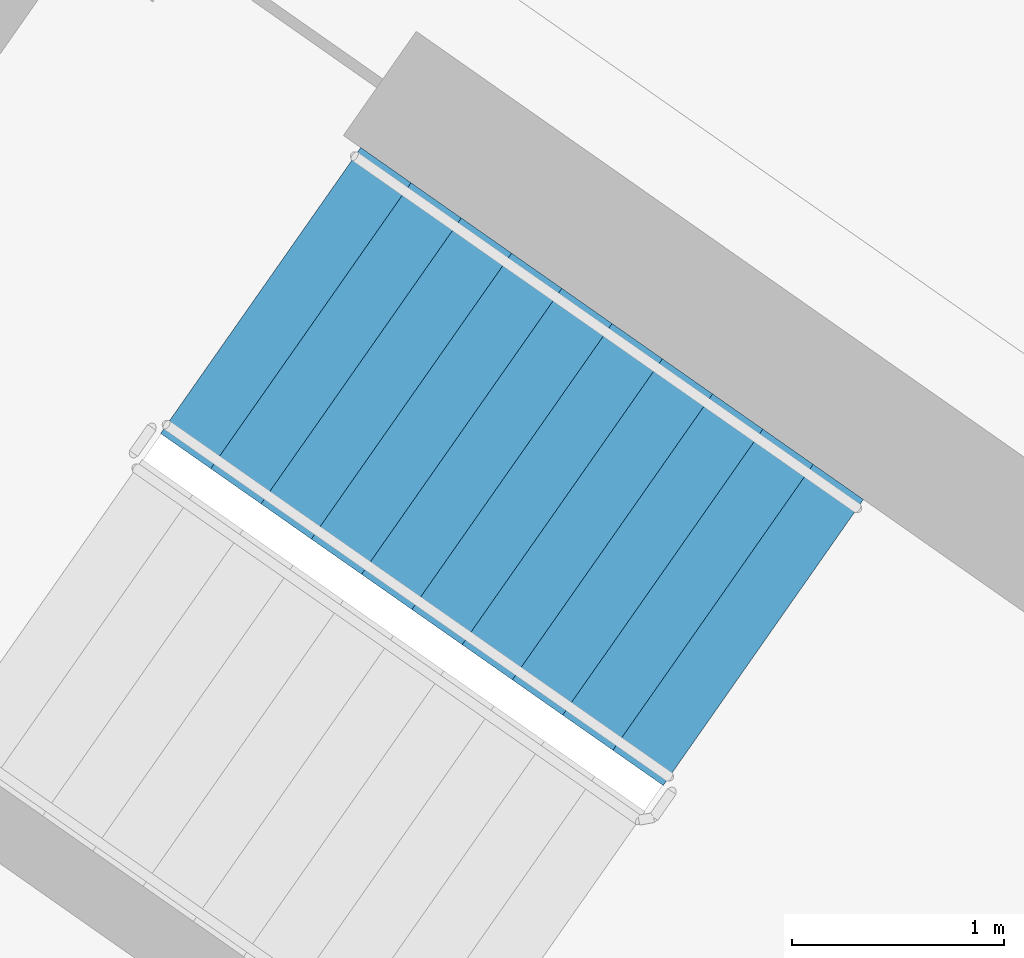
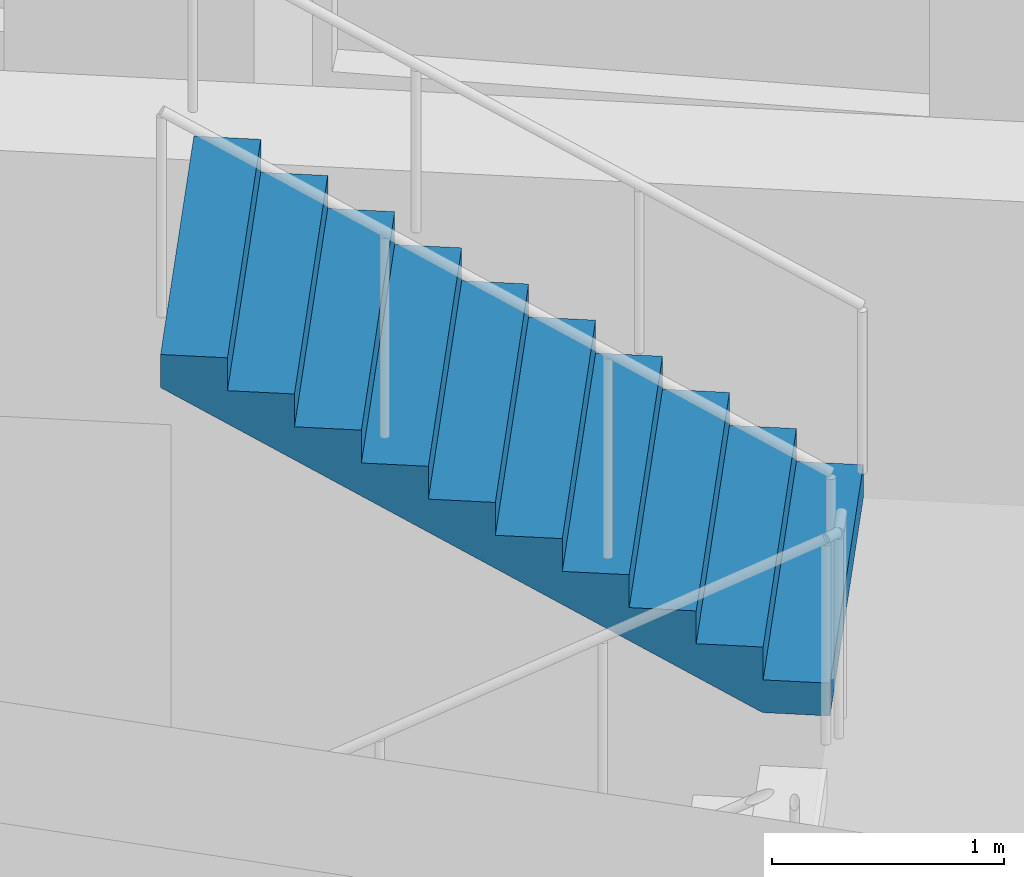
# One storey, part 12 of 26: 1 stair flight, 1 element without a shape of its own.
"""IFC4 building model written with IfcOpenShell, lengths in metres."""

from ifc_helpers import new_model, si_unit, direction, frame, origin, place, context, subcontext, project, spatial, faceted_brep, material, type_object, element, aggregate, save


model = new_model("IFC4")

# Units and contexts
model_context = context("Model", 3, precision=1e-05, world=origin(), true_north=direction((0.0, 1.0)))
body_context = subcontext(model_context, "Body", "Model", "MODEL_VIEW")
ifc_project = project(units=[si_unit("LENGTHUNIT", "METRE"), si_unit("AREAUNIT", "SQUARE_METRE"), si_unit("VOLUMEUNIT", "CUBIC_METRE"), si_unit("PLANEANGLEUNIT", "RADIAN"), si_unit("MASSUNIT", "GRAM", prefix="KILO")], contexts=[model_context])

# Site, building, storey
site_placement = place(None, origin())
site = spatial("IfcSite", under=ifc_project, at=site_placement, CompositionType="ELEMENT")
building_placement = place(site_placement, origin())
building = spatial("IfcBuilding", under=site, at=building_placement, Name="Qamariyya Broadcast Tower", CompositionType="ELEMENT")
storey_placement = place(building_placement, frame((0.0, 0.0, 160.699951171875)))
storey = spatial("IfcBuildingStorey", under=building, at=storey_placement, Name="L37", CompositionType="ELEMENT", Elevation=160.699951171875)

# Stair, stair flight
ifc_material = material(Name="Concrete C50/60", Category="concrete")
stair_type = type_object("IfcStairType", Name="Exit stair 22 risers of 173 mm", PredefinedType="HALF_TURN_STAIR", material=ifc_material)
stair_placement = place(storey_placement, origin())
stair = element("IfcStair", 1, at=stair_placement, inside=storey, type_object=stair_type, Name="L37 Stair W2", PredefinedType="HALF_TURN_STAIR")
stair_flight_type = type_object("IfcStairFlightType", Name="Exit stair flight 11 risers of 173 mm", PredefinedType="STRAIGHT", material=ifc_material)
stair_flight_placement = place(storey_placement, frame((-38.18310546875, -49.3486328125, 1.900146484375), z_axis=(0.0, 0.0, 1.0), x_axis=(-0.819152044289, 0.573576436351, 0.0)))
stair_flight = element("IfcStairFlight", 2, at=stair_flight_placement, type_object=stair_flight_type, Name="ST-W2 flight 2", NumberOfRisers=11, NumberOfTreads=10, PredefinedType="STRAIGHT", RiserHeight=0.172727273, TreadLength=0.29, context=body_context, shape_type="Brep", body=[
    faceted_brep([(0.0, 0.824951171875, 0.0), (0.0, 0.824951171875, 0.172607421875), (0.2900390625, 0.824951171875, 0.172607421875), (0.2900390625, 0.824951171875, 0.345458984375), (0.580078125, 0.824951171875, 0.345458984375), (0.580078125, 0.824951171875, 0.51806640625), (0.8701171875, 0.824951171875, 0.51806640625), (0.8701171875, 0.824951171875, 0.69091796875), (1.159912109375, 0.824951171875, 0.69091796875), (1.159912109375, 0.824951171875, 0.863525390625), (1.449951171875, 0.824951171875, 0.863525390625), (1.449951171875, 0.824951171875, 1.036376953125), (1.739990234375, 0.824951171875, 1.036376953125), (1.739990234375, 0.824951171875, 1.208984375), (2.030029296875, 0.824951171875, 1.208984375), (2.030029296875, 0.824951171875, 1.3818359375), (2.320068359375, 0.824951171875, 1.3818359375), (2.320068359375, 0.824951171875, 1.554443359375), (2.610107421875, 0.824951171875, 1.554443359375), (2.610107421875, 0.824951171875, 1.727294921875), (2.89990234375, 0.824951171875, 1.727294921875), (2.89990234375, 0.824951171875, 1.552734375), (0.29296875, 0.824951171875, 0.0), (0.29296875, -0.824951171875, 0.0), (2.89990234375, -0.824951171875, 1.552734375), (2.89990234375, -0.824951171875, 1.727294921875), (2.610107421875, -0.824951171875, 1.727294921875), (2.610107421875, -0.824951171875, 1.554443359375), (2.320068359375, -0.824951171875, 1.554443359375), (2.320068359375, -0.824951171875, 1.3818359375), (2.030029296875, -0.824951171875, 1.3818359375), (2.030029296875, -0.824951171875, 1.208984375), (1.739990234375, -0.824951171875, 1.208984375), (1.739990234375, -0.824951171875, 1.036376953125), (1.449951171875, -0.824951171875, 1.036376953125), (1.449951171875, -0.824951171875, 0.863525390625), (1.159912109375, -0.824951171875, 0.863525390625), (1.159912109375, -0.824951171875, 0.69091796875), (0.8701171875, -0.824951171875, 0.69091796875), (0.8701171875, -0.824951171875, 0.51806640625), (0.580078125, -0.824951171875, 0.51806640625), (0.580078125, -0.824951171875, 0.345458984375), (0.2900390625, -0.824951171875, 0.345458984375), (0.2900390625, -0.824951171875, 0.172607421875), (0.0, -0.824951171875, 0.172607421875), (0.0, -0.824951171875, 0.0), (0.0, 0.10009765625, 0.0), (0.0, 0.086669921875, 0.0), (0.0, 0.0732421875, 0.0), (0.0, 0.06005859375, 0.0), (0.0, 0.046630859375, 0.0), (0.0, 0.033447265625, 0.0), (0.0, 0.02001953125, 0.0), (0.0, 0.006591796875, 0.0), (0.0, -0.006591796875, 0.0), (0.0, -0.02001953125, 0.0), (0.0, -0.033447265625, 0.0), (0.0, -0.046630859375, 0.0), (0.0, -0.06005859375, 0.0), (0.0, -0.0732421875, 0.0), (0.0, -0.086669921875, 0.0), (0.0, -0.10009765625, 0.0), (0.0, -0.10009765625, 0.172607421875), (0.0, -0.086669921875, 0.172607421875), (0.0, -0.0732421875, 0.172607421875), (0.0, -0.06005859375, 0.172607421875), (0.0, -0.046630859375, 0.172607421875), (0.0, -0.033447265625, 0.172607421875), (0.0, -0.02001953125, 0.172607421875), (0.0, -0.006591796875, 0.172607421875), (0.0, 0.006591796875, 0.172607421875), (0.0, 0.02001953125, 0.172607421875), (0.0, 0.033447265625, 0.172607421875), (0.0, 0.046630859375, 0.172607421875), (0.0, 0.06005859375, 0.172607421875), (0.0, 0.0732421875, 0.172607421875), (0.0, 0.086669921875, 0.172607421875), (0.0, 0.10009765625, 0.172607421875), (0.2900390625, -0.10009765625, 0.172607421875), (0.2900390625, -0.086669921875, 0.172607421875), (0.2900390625, -0.0732421875, 0.172607421875), (0.2900390625, -0.06005859375, 0.172607421875), (0.2900390625, -0.046630859375, 0.172607421875), (0.2900390625, -0.033447265625, 0.172607421875), (0.2900390625, -0.02001953125, 0.172607421875), (0.2900390625, -0.006591796875, 0.172607421875), (0.2900390625, 0.006591796875, 0.172607421875), (0.2900390625, 0.02001953125, 0.172607421875), (0.2900390625, 0.033447265625, 0.172607421875), (0.2900390625, 0.046630859375, 0.172607421875), (0.2900390625, 0.06005859375, 0.172607421875), (0.2900390625, 0.0732421875, 0.172607421875), (0.2900390625, 0.086669921875, 0.172607421875), (0.2900390625, 0.10009765625, 0.172607421875), (0.2900390625, -0.10009765625, 0.345458984375), (0.2900390625, -0.086669921875, 0.345458984375), (0.2900390625, -0.0732421875, 0.345458984375), (0.2900390625, -0.06005859375, 0.345458984375), (0.2900390625, -0.046630859375, 0.345458984375), (0.2900390625, -0.033447265625, 0.345458984375), (0.2900390625, -0.02001953125, 0.345458984375), (0.2900390625, -0.006591796875, 0.345458984375), (0.2900390625, 0.006591796875, 0.345458984375), (0.2900390625, 0.02001953125, 0.345458984375), (0.2900390625, 0.033447265625, 0.345458984375), (0.2900390625, 0.046630859375, 0.345458984375), (0.2900390625, 0.06005859375, 0.345458984375), (0.2900390625, 0.0732421875, 0.345458984375), (0.2900390625, 0.086669921875, 0.345458984375), (0.2900390625, 0.10009765625, 0.345458984375), (0.580078125, -0.10009765625, 0.345458984375), (0.580078125, -0.086669921875, 0.345458984375), (0.580078125, -0.0732421875, 0.345458984375), (0.580078125, -0.06005859375, 0.345458984375), (0.580078125, -0.046630859375, 0.345458984375), (0.580078125, -0.033447265625, 0.345458984375), (0.580078125, -0.02001953125, 0.345458984375), (0.580078125, -0.006591796875, 0.345458984375), (0.580078125, 0.006591796875, 0.345458984375), (0.580078125, 0.02001953125, 0.345458984375), (0.580078125, 0.033447265625, 0.345458984375), (0.580078125, 0.046630859375, 0.345458984375), (0.580078125, 0.06005859375, 0.345458984375), (0.580078125, 0.0732421875, 0.345458984375), (0.580078125, 0.086669921875, 0.345458984375), (0.580078125, 0.10009765625, 0.345458984375), (0.580078125, -0.10009765625, 0.51806640625), (0.580078125, -0.086669921875, 0.51806640625), (0.580078125, -0.0732421875, 0.51806640625), (0.580078125, -0.06005859375, 0.51806640625), (0.580078125, -0.046630859375, 0.51806640625), (0.580078125, -0.033447265625, 0.51806640625), (0.580078125, -0.02001953125, 0.51806640625), (0.580078125, -0.006591796875, 0.51806640625), (0.580078125, 0.006591796875, 0.51806640625), (0.580078125, 0.02001953125, 0.51806640625), (0.580078125, 0.033447265625, 0.51806640625), (0.580078125, 0.046630859375, 0.51806640625), (0.580078125, 0.06005859375, 0.51806640625), (0.580078125, 0.0732421875, 0.51806640625), (0.580078125, 0.086669921875, 0.51806640625), (0.580078125, 0.10009765625, 0.51806640625), (0.8701171875, -0.10009765625, 0.51806640625), (0.8701171875, -0.086669921875, 0.51806640625), (0.8701171875, -0.0732421875, 0.51806640625), (0.8701171875, -0.06005859375, 0.51806640625), (0.8701171875, -0.046630859375, 0.51806640625), (0.8701171875, -0.033447265625, 0.51806640625), (0.8701171875, -0.02001953125, 0.51806640625), (0.8701171875, -0.006591796875, 0.51806640625), (0.8701171875, 0.006591796875, 0.51806640625), (0.8701171875, 0.02001953125, 0.51806640625), (0.8701171875, 0.033447265625, 0.51806640625), (0.8701171875, 0.046630859375, 0.51806640625), (0.8701171875, 0.06005859375, 0.51806640625), (0.8701171875, 0.0732421875, 0.51806640625), (0.8701171875, 0.086669921875, 0.51806640625), (0.8701171875, 0.10009765625, 0.51806640625), (0.8701171875, -0.10009765625, 0.69091796875), (0.8701171875, -0.086669921875, 0.69091796875), (0.8701171875, -0.0732421875, 0.69091796875), (0.8701171875, -0.06005859375, 0.69091796875), (0.8701171875, -0.046630859375, 0.69091796875), (0.8701171875, -0.033447265625, 0.69091796875), (0.8701171875, -0.02001953125, 0.69091796875), (0.8701171875, -0.006591796875, 0.69091796875), (0.8701171875, 0.006591796875, 0.69091796875), (0.8701171875, 0.02001953125, 0.69091796875), (0.8701171875, 0.033447265625, 0.69091796875), (0.8701171875, 0.046630859375, 0.69091796875), (0.8701171875, 0.06005859375, 0.69091796875), (0.8701171875, 0.0732421875, 0.69091796875), (0.8701171875, 0.086669921875, 0.69091796875), (0.8701171875, 0.10009765625, 0.69091796875), (1.159912109375, -0.10009765625, 0.69091796875), (1.159912109375, -0.086669921875, 0.69091796875), (1.159912109375, -0.0732421875, 0.69091796875), (1.159912109375, -0.06005859375, 0.69091796875), (1.159912109375, -0.046630859375, 0.69091796875), (1.159912109375, -0.033447265625, 0.69091796875), (1.159912109375, -0.02001953125, 0.69091796875), (1.159912109375, -0.006591796875, 0.69091796875), (1.159912109375, 0.006591796875, 0.69091796875), (1.159912109375, 0.02001953125, 0.69091796875), (1.159912109375, 0.033447265625, 0.69091796875), (1.159912109375, 0.046630859375, 0.69091796875), (1.159912109375, 0.06005859375, 0.69091796875), (1.159912109375, 0.0732421875, 0.69091796875), (1.159912109375, 0.086669921875, 0.69091796875), (1.159912109375, 0.10009765625, 0.69091796875), (1.159912109375, -0.10009765625, 0.863525390625), (1.159912109375, -0.086669921875, 0.863525390625), (1.159912109375, -0.0732421875, 0.863525390625), (1.159912109375, -0.06005859375, 0.863525390625), (1.159912109375, -0.046630859375, 0.863525390625), (1.159912109375, -0.033447265625, 0.863525390625), (1.159912109375, -0.02001953125, 0.863525390625), (1.159912109375, -0.006591796875, 0.863525390625), (1.159912109375, 0.006591796875, 0.863525390625), (1.159912109375, 0.02001953125, 0.863525390625), (1.159912109375, 0.033447265625, 0.863525390625), (1.159912109375, 0.046630859375, 0.863525390625), (1.159912109375, 0.06005859375, 0.863525390625), (1.159912109375, 0.0732421875, 0.863525390625), (1.159912109375, 0.086669921875, 0.863525390625), (1.159912109375, 0.10009765625, 0.863525390625), (1.449951171875, -0.10009765625, 0.863525390625), (1.449951171875, -0.086669921875, 0.863525390625), (1.449951171875, -0.0732421875, 0.863525390625), (1.449951171875, -0.06005859375, 0.863525390625), (1.449951171875, -0.046630859375, 0.863525390625), (1.449951171875, -0.033447265625, 0.863525390625), (1.449951171875, -0.02001953125, 0.863525390625), (1.449951171875, -0.006591796875, 0.863525390625), (1.449951171875, 0.006591796875, 0.863525390625), (1.449951171875, 0.02001953125, 0.863525390625), (1.449951171875, 0.033447265625, 0.863525390625), (1.449951171875, 0.046630859375, 0.863525390625), (1.449951171875, 0.06005859375, 0.863525390625), (1.449951171875, 0.0732421875, 0.863525390625), (1.449951171875, 0.086669921875, 0.863525390625), (1.449951171875, 0.10009765625, 0.863525390625), (1.449951171875, -0.10009765625, 1.036376953125), (1.449951171875, -0.086669921875, 1.036376953125), (1.449951171875, -0.0732421875, 1.036376953125), (1.449951171875, -0.06005859375, 1.036376953125), (1.449951171875, -0.046630859375, 1.036376953125), (1.449951171875, -0.033447265625, 1.036376953125), (1.449951171875, -0.02001953125, 1.036376953125), (1.449951171875, -0.006591796875, 1.036376953125), (1.449951171875, 0.006591796875, 1.036376953125), (1.449951171875, 0.02001953125, 1.036376953125), (1.449951171875, 0.033447265625, 1.036376953125), (1.449951171875, 0.046630859375, 1.036376953125), (1.449951171875, 0.06005859375, 1.036376953125), (1.449951171875, 0.0732421875, 1.036376953125), (1.449951171875, 0.086669921875, 1.036376953125), (1.449951171875, 0.10009765625, 1.036376953125), (1.739990234375, -0.10009765625, 1.036376953125), (1.739990234375, -0.086669921875, 1.036376953125), (1.739990234375, -0.0732421875, 1.036376953125), (1.739990234375, -0.06005859375, 1.036376953125), (1.739990234375, -0.046630859375, 1.036376953125), (1.739990234375, -0.033447265625, 1.036376953125), (1.739990234375, -0.02001953125, 1.036376953125), (1.739990234375, -0.006591796875, 1.036376953125), (1.739990234375, 0.006591796875, 1.036376953125), (1.739990234375, 0.02001953125, 1.036376953125), (1.739990234375, 0.033447265625, 1.036376953125), (1.739990234375, 0.046630859375, 1.036376953125), (1.739990234375, 0.06005859375, 1.036376953125), (1.739990234375, 0.0732421875, 1.036376953125), (1.739990234375, 0.086669921875, 1.036376953125), (1.739990234375, 0.10009765625, 1.036376953125), (1.739990234375, -0.10009765625, 1.208984375), (1.739990234375, -0.086669921875, 1.208984375), (1.739990234375, -0.0732421875, 1.208984375), (1.739990234375, -0.06005859375, 1.208984375), (1.739990234375, -0.046630859375, 1.208984375), (1.739990234375, -0.033447265625, 1.208984375), (1.739990234375, -0.02001953125, 1.208984375), (1.739990234375, -0.006591796875, 1.208984375), (1.739990234375, 0.006591796875, 1.208984375), (1.739990234375, 0.02001953125, 1.208984375), (1.739990234375, 0.033447265625, 1.208984375), (1.739990234375, 0.046630859375, 1.208984375), (1.739990234375, 0.06005859375, 1.208984375), (1.739990234375, 0.0732421875, 1.208984375), (1.739990234375, 0.086669921875, 1.208984375), (1.739990234375, 0.10009765625, 1.208984375), (2.030029296875, -0.10009765625, 1.208984375), (2.030029296875, -0.086669921875, 1.208984375), (2.030029296875, -0.0732421875, 1.208984375), (2.030029296875, -0.06005859375, 1.208984375), (2.030029296875, -0.046630859375, 1.208984375), (2.030029296875, -0.033447265625, 1.208984375), (2.030029296875, -0.02001953125, 1.208984375), (2.030029296875, -0.006591796875, 1.208984375), (2.030029296875, 0.006591796875, 1.208984375), (2.030029296875, 0.02001953125, 1.208984375), (2.030029296875, 0.033447265625, 1.208984375), (2.030029296875, 0.046630859375, 1.208984375), (2.030029296875, 0.06005859375, 1.208984375), (2.030029296875, 0.0732421875, 1.208984375), (2.030029296875, 0.086669921875, 1.208984375), (2.030029296875, 0.10009765625, 1.208984375), (2.030029296875, -0.10009765625, 1.3818359375), (2.030029296875, -0.086669921875, 1.3818359375), (2.030029296875, -0.0732421875, 1.3818359375), (2.030029296875, -0.06005859375, 1.3818359375), (2.030029296875, -0.046630859375, 1.3818359375), (2.030029296875, -0.033447265625, 1.3818359375), (2.030029296875, -0.02001953125, 1.3818359375), (2.030029296875, -0.006591796875, 1.3818359375), (2.030029296875, 0.006591796875, 1.3818359375), (2.030029296875, 0.02001953125, 1.3818359375), (2.030029296875, 0.033447265625, 1.3818359375), (2.030029296875, 0.046630859375, 1.3818359375), (2.030029296875, 0.06005859375, 1.3818359375), (2.030029296875, 0.0732421875, 1.3818359375), (2.030029296875, 0.086669921875, 1.3818359375), (2.030029296875, 0.10009765625, 1.3818359375), (2.320068359375, -0.10009765625, 1.3818359375), (2.320068359375, -0.086669921875, 1.3818359375), (2.320068359375, -0.0732421875, 1.3818359375), (2.320068359375, -0.06005859375, 1.3818359375), (2.320068359375, -0.046630859375, 1.3818359375), (2.320068359375, -0.033447265625, 1.3818359375), (2.320068359375, -0.02001953125, 1.3818359375), (2.320068359375, -0.006591796875, 1.3818359375), (2.320068359375, 0.006591796875, 1.3818359375), (2.320068359375, 0.02001953125, 1.3818359375), (2.320068359375, 0.033447265625, 1.3818359375), (2.320068359375, 0.046630859375, 1.3818359375), (2.320068359375, 0.06005859375, 1.3818359375), (2.320068359375, 0.0732421875, 1.3818359375), (2.320068359375, 0.086669921875, 1.3818359375), (2.320068359375, 0.10009765625, 1.3818359375), (2.320068359375, -0.10009765625, 1.554443359375), (2.320068359375, -0.086669921875, 1.554443359375), (2.320068359375, -0.0732421875, 1.554443359375), (2.320068359375, -0.06005859375, 1.554443359375), (2.320068359375, -0.046630859375, 1.554443359375), (2.320068359375, -0.033447265625, 1.554443359375), (2.320068359375, -0.02001953125, 1.554443359375), (2.320068359375, -0.006591796875, 1.554443359375), (2.320068359375, 0.006591796875, 1.554443359375), (2.320068359375, 0.02001953125, 1.554443359375), (2.320068359375, 0.033447265625, 1.554443359375), (2.320068359375, 0.046630859375, 1.554443359375), (2.320068359375, 0.06005859375, 1.554443359375), (2.320068359375, 0.0732421875, 1.554443359375), (2.320068359375, 0.086669921875, 1.554443359375), (2.320068359375, 0.10009765625, 1.554443359375), (2.610107421875, -0.10009765625, 1.554443359375), (2.610107421875, -0.086669921875, 1.554443359375), (2.610107421875, -0.0732421875, 1.554443359375), (2.610107421875, -0.06005859375, 1.554443359375), (2.610107421875, -0.046630859375, 1.554443359375), (2.610107421875, -0.033447265625, 1.554443359375), (2.610107421875, -0.02001953125, 1.554443359375), (2.610107421875, -0.006591796875, 1.554443359375), (2.610107421875, 0.006591796875, 1.554443359375), (2.610107421875, 0.02001953125, 1.554443359375), (2.610107421875, 0.033447265625, 1.554443359375), (2.610107421875, 0.046630859375, 1.554443359375), (2.610107421875, 0.06005859375, 1.554443359375), (2.610107421875, 0.0732421875, 1.554443359375), (2.610107421875, 0.086669921875, 1.554443359375), (2.610107421875, 0.10009765625, 1.554443359375), (2.610107421875, -0.10009765625, 1.727294921875), (2.610107421875, -0.086669921875, 1.727294921875), (2.610107421875, -0.0732421875, 1.727294921875), (2.610107421875, -0.06005859375, 1.727294921875), (2.610107421875, -0.046630859375, 1.727294921875), (2.610107421875, -0.033447265625, 1.727294921875), (2.610107421875, -0.02001953125, 1.727294921875), (2.610107421875, -0.006591796875, 1.727294921875), (2.610107421875, 0.006591796875, 1.727294921875), (2.610107421875, 0.02001953125, 1.727294921875), (2.610107421875, 0.033447265625, 1.727294921875), (2.610107421875, 0.046630859375, 1.727294921875), (2.610107421875, 0.06005859375, 1.727294921875), (2.610107421875, 0.0732421875, 1.727294921875), (2.610107421875, 0.086669921875, 1.727294921875), (2.610107421875, 0.10009765625, 1.727294921875), (2.89990234375, -0.10009765625, 1.727294921875), (2.89990234375, -0.086669921875, 1.727294921875), (2.89990234375, -0.0732421875, 1.727294921875), (2.89990234375, -0.06005859375, 1.727294921875), (2.89990234375, -0.046630859375, 1.727294921875), (2.89990234375, -0.033447265625, 1.727294921875), (2.89990234375, -0.02001953125, 1.727294921875), (2.89990234375, -0.006591796875, 1.727294921875), (2.89990234375, 0.006591796875, 1.727294921875), (2.89990234375, 0.02001953125, 1.727294921875), (2.89990234375, 0.033447265625, 1.727294921875), (2.89990234375, 0.046630859375, 1.727294921875), (2.89990234375, 0.06005859375, 1.727294921875), (2.89990234375, 0.0732421875, 1.727294921875), (2.89990234375, 0.086669921875, 1.727294921875), (2.89990234375, 0.10009765625, 1.727294921875), (2.89990234375, -0.10009765625, 1.552734375), (2.89990234375, -0.086669921875, 1.552734375), (2.89990234375, -0.0732421875, 1.552734375), (2.89990234375, -0.06005859375, 1.552734375), (2.89990234375, -0.046630859375, 1.552734375), (2.89990234375, -0.033447265625, 1.552734375), (2.89990234375, -0.02001953125, 1.552734375), (2.89990234375, -0.006591796875, 1.552734375), (2.89990234375, 0.006591796875, 1.552734375), (2.89990234375, 0.02001953125, 1.552734375), (2.89990234375, 0.033447265625, 1.552734375), (2.89990234375, 0.046630859375, 1.552734375), (2.89990234375, 0.06005859375, 1.552734375), (2.89990234375, 0.0732421875, 1.552734375), (2.89990234375, 0.086669921875, 1.552734375), (2.89990234375, 0.10009765625, 1.552734375), (0.29296875, -0.10009765625, 0.0), (0.29296875, -0.086669921875, 0.0), (0.29296875, -0.0732421875, 0.0), (0.29296875, -0.06005859375, 0.0), (0.29296875, -0.046630859375, 0.0), (0.29296875, -0.033447265625, 0.0), (0.29296875, -0.02001953125, 0.0), (0.29296875, -0.006591796875, 0.0), (0.29296875, 0.006591796875, 0.0), (0.29296875, 0.02001953125, 0.0), (0.29296875, 0.033447265625, 0.0), (0.29296875, 0.046630859375, 0.0), (0.29296875, 0.06005859375, 0.0), (0.29296875, 0.0732421875, 0.0), (0.29296875, 0.086669921875, 0.0), (0.29296875, 0.10009765625, 0.0)], [[[0, 1, 2, 3, 4, 5, 6, 7, 8, 9, 10, 11, 12, 13, 14, 15, 16, 17, 18, 19, 20, 21, 22]], [[23, 24, 25, 26, 27, 28, 29, 30, 31, 32, 33, 34, 35, 36, 37, 38, 39, 40, 41, 42, 43, 44, 45]], [[0, 46, 47, 48, 49, 50, 51, 52, 53, 54, 55, 56, 57, 58, 59, 60, 61, 45, 44, 62, 63, 64, 65, 66, 67, 68, 69, 70, 71, 72, 73, 74, 75, 76, 77, 1]], [[1, 77, 76, 75, 74, 73, 72, 71, 70, 69, 68, 67, 66, 65, 64, 63, 62, 44, 43, 78, 79, 80, 81, 82, 83, 84, 85, 86, 87, 88, 89, 90, 91, 92, 93, 2]], [[2, 93, 92, 91, 90, 89, 88, 87, 86, 85, 84, 83, 82, 81, 80, 79, 78, 43, 42, 94, 95, 96, 97, 98, 99, 100, 101, 102, 103, 104, 105, 106, 107, 108, 109, 3]], [[3, 109, 108, 107, 106, 105, 104, 103, 102, 101, 100, 99, 98, 97, 96, 95, 94, 42, 41, 110, 111, 112, 113, 114, 115, 116, 117, 118, 119, 120, 121, 122, 123, 124, 125, 4]], [[4, 125, 124, 123, 122, 121, 120, 119, 118, 117, 116, 115, 114, 113, 112, 111, 110, 41, 40, 126, 127, 128, 129, 130, 131, 132, 133, 134, 135, 136, 137, 138, 139, 140, 141, 5]], [[5, 141, 140, 139, 138, 137, 136, 135, 134, 133, 132, 131, 130, 129, 128, 127, 126, 40, 39, 142, 143, 144, 145, 146, 147, 148, 149, 150, 151, 152, 153, 154, 155, 156, 157, 6]], [[6, 157, 156, 155, 154, 153, 152, 151, 150, 149, 148, 147, 146, 145, 144, 143, 142, 39, 38, 158, 159, 160, 161, 162, 163, 164, 165, 166, 167, 168, 169, 170, 171, 172, 173, 7]], [[7, 173, 172, 171, 170, 169, 168, 167, 166, 165, 164, 163, 162, 161, 160, 159, 158, 38, 37, 174, 175, 176, 177, 178, 179, 180, 181, 182, 183, 184, 185, 186, 187, 188, 189, 8]], [[8, 189, 188, 187, 186, 185, 184, 183, 182, 181, 180, 179, 178, 177, 176, 175, 174, 37, 36, 190, 191, 192, 193, 194, 195, 196, 197, 198, 199, 200, 201, 202, 203, 204, 205, 9]], [[9, 205, 204, 203, 202, 201, 200, 199, 198, 197, 196, 195, 194, 193, 192, 191, 190, 36, 35, 206, 207, 208, 209, 210, 211, 212, 213, 214, 215, 216, 217, 218, 219, 220, 221, 10]], [[10, 221, 220, 219, 218, 217, 216, 215, 214, 213, 212, 211, 210, 209, 208, 207, 206, 35, 34, 222, 223, 224, 225, 226, 227, 228, 229, 230, 231, 232, 233, 234, 235, 236, 237, 11]], [[11, 237, 236, 235, 234, 233, 232, 231, 230, 229, 228, 227, 226, 225, 224, 223, 222, 34, 33, 238, 239, 240, 241, 242, 243, 244, 245, 246, 247, 248, 249, 250, 251, 252, 253, 12]], [[12, 253, 252, 251, 250, 249, 248, 247, 246, 245, 244, 243, 242, 241, 240, 239, 238, 33, 32, 254, 255, 256, 257, 258, 259, 260, 261, 262, 263, 264, 265, 266, 267, 268, 269, 13]], [[13, 269, 268, 267, 266, 265, 264, 263, 262, 261, 260, 259, 258, 257, 256, 255, 254, 32, 31, 270, 271, 272, 273, 274, 275, 276, 277, 278, 279, 280, 281, 282, 283, 284, 285, 14]], [[14, 285, 284, 283, 282, 281, 280, 279, 278, 277, 276, 275, 274, 273, 272, 271, 270, 31, 30, 286, 287, 288, 289, 290, 291, 292, 293, 294, 295, 296, 297, 298, 299, 300, 301, 15]], [[15, 301, 300, 299, 298, 297, 296, 295, 294, 293, 292, 291, 290, 289, 288, 287, 286, 30, 29, 302, 303, 304, 305, 306, 307, 308, 309, 310, 311, 312, 313, 314, 315, 316, 317, 16]], [[16, 317, 316, 315, 314, 313, 312, 311, 310, 309, 308, 307, 306, 305, 304, 303, 302, 29, 28, 318, 319, 320, 321, 322, 323, 324, 325, 326, 327, 328, 329, 330, 331, 332, 333, 17]], [[17, 333, 332, 331, 330, 329, 328, 327, 326, 325, 324, 323, 322, 321, 320, 319, 318, 28, 27, 334, 335, 336, 337, 338, 339, 340, 341, 342, 343, 344, 345, 346, 347, 348, 349, 18]], [[18, 349, 348, 347, 346, 345, 344, 343, 342, 341, 340, 339, 338, 337, 336, 335, 334, 27, 26, 350, 351, 352, 353, 354, 355, 356, 357, 358, 359, 360, 361, 362, 363, 364, 365, 19]], [[19, 365, 364, 363, 362, 361, 360, 359, 358, 357, 356, 355, 354, 353, 352, 351, 350, 26, 25, 366, 367, 368, 369, 370, 371, 372, 373, 374, 375, 376, 377, 378, 379, 380, 381, 20]], [[20, 381, 380, 379, 378, 377, 376, 375, 374, 373, 372, 371, 370, 369, 368, 367, 366, 25, 24, 382, 383, 384, 385, 386, 387, 388, 389, 390, 391, 392, 393, 394, 395, 396, 397, 21]], [[21, 397, 396, 395, 394, 393, 392, 391, 390, 389, 388, 387, 386, 385, 384, 383, 382, 24, 23, 398, 399, 400, 401, 402, 403, 404, 405, 406, 407, 408, 409, 410, 411, 412, 413, 22]], [[22, 413, 412, 411, 410, 409, 408, 407, 406, 405, 404, 403, 402, 401, 400, 399, 398, 23, 45, 61, 60, 59, 58, 57, 56, 55, 54, 53, 52, 51, 50, 49, 48, 47, 46, 0]]]),
])
aggregate(stair, [stair_flight])

save(model, "model.ifc")
